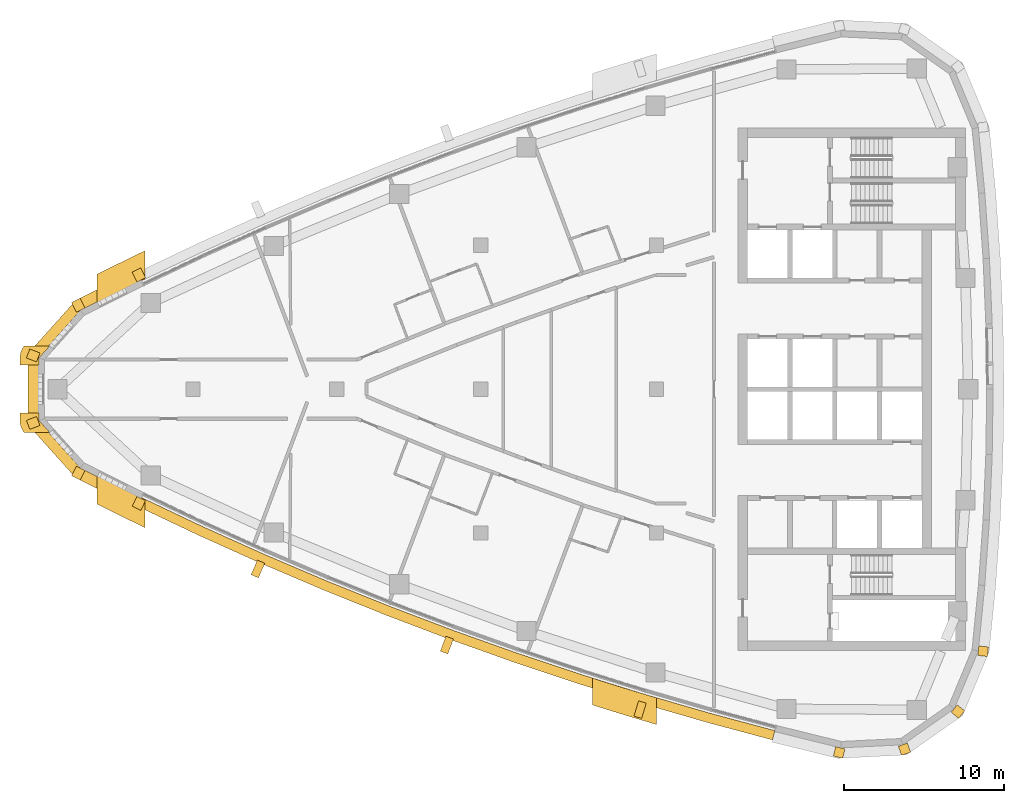
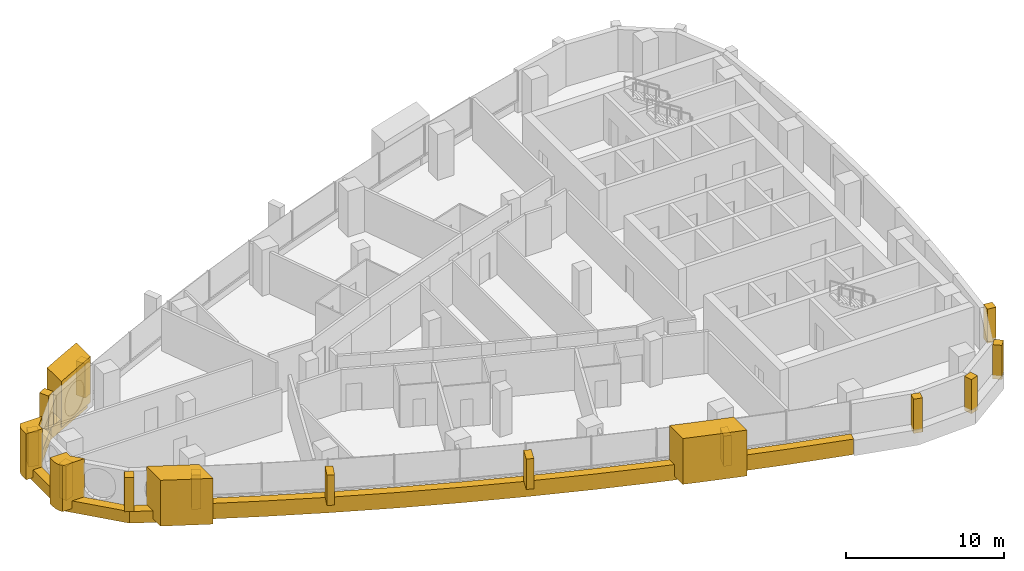
# One storey, part 12 of 15: 20 coverings.
"""IFC4 building model written with IfcOpenShell, lengths in metres."""

from ifc_helpers import new_model, si_unit, direction, frame, frame_2d, origin, place, context, subcontext, project, spatial, polyline, rectangle, outline, extrude, material, layer, layer_set, type_object, element, save


model = new_model("IFC4")

# Units and contexts
model_context = context("Model", 3, precision=1e-05, world=origin(), true_north=direction((0.0, 1.0)))
body_context = subcontext(model_context, "Body", "Model", "MODEL_VIEW")
ifc_project = project(units=[si_unit("LENGTHUNIT", "METRE"), si_unit("AREAUNIT", "SQUARE_METRE"), si_unit("VOLUMEUNIT", "CUBIC_METRE"), si_unit("PLANEANGLEUNIT", "RADIAN"), si_unit("MASSUNIT", "GRAM", prefix="KILO")], contexts=[model_context])

# Site, building, storey
site_placement = place(None, origin())
site = spatial("IfcSite", under=ifc_project, at=site_placement, CompositionType="ELEMENT")
building_placement = place(site_placement, origin())
building = spatial("IfcBuilding", under=site, at=building_placement, Name="Ostrand Prow Hotel Tower", CompositionType="ELEMENT")
storey_placement = place(building_placement, frame((0.0, 0.0, 238.550048828125)))
storey = spatial("IfcBuildingStorey", under=building, at=storey_placement, Name="L60", CompositionType="ELEMENT", Elevation=238.550048828125)

# Coverings
ifc_material_1 = material(Name="Bronze anodised aluminium cladding", Category="aluminium")
ifc_layer_1 = layer(ifc_material_1, 0.60009765625)
ifc_layer_set_1 = layer_set([ifc_layer_1], Name="Bronze anodised aluminium cladding")
covering_type_1 = type_object("IfcCoveringType", Name="Bronze prow band 899x600", PredefinedType="CLADDING", material=ifc_layer_set_1)
covering_1_placement = place(storey_placement, frame((0.0, 0.0, -0.300048828125)))
element("IfcCovering", 1, at=covering_1_placement, inside=storey, type_object=covering_type_1, Name="Bronze prow band", PredefinedType="CLADDING", context=body_context, shape_type="SweptSolid", body=[
    extrude(outline(polyline([(12.464111328125, 7.451904296875), (8.668212890625, 5.55517578125), (5.685302734375, 2.232666015625), (5.685302734375, -2.232666015625), (8.668212890625, -5.55517578125), (12.464111328125, -7.451904296875), (12.76171875, -6.840576171875), (8.97802734375, -4.949951171875), (6.3203125, -1.9892578125), (6.3203125, 1.9892578125), (8.97802734375, 4.949951171875), (12.76171875, 6.840576171875), (12.464111328125, 7.451904296875)])), origin(), (0.0, 0.0, 1.0), 0.89990234375),
])
ifc_material_2 = material(Name="Bronze anodised aluminium cladding", Category="aluminium")
ifc_layer_2 = layer(ifc_material_2, 0.60009765625)
ifc_layer_set_2 = layer_set([ifc_layer_2], Name="Bronze anodised aluminium cladding")
covering_type_2 = type_object("IfcCoveringType", Name="Bronze spandrel band 1200x600", PredefinedType="CLADDING", material=ifc_layer_set_2)
covering_2_placement = place(storey_placement, frame((0.0, 0.0, -0.300048828125)))
element("IfcCovering", 2, at=covering_2_placement, inside=storey, type_object=covering_type_2, Name="Spandrel band S1", PredefinedType="CLADDING", context=body_context, shape_type="SweptSolid", body=[
    extrude(outline(polyline([(12.526123046875, -7.324462890625), (16.35693359375, -9.14306640625), (20.2236328125, -10.88427734375), (24.12451171875, -12.547119140625), (28.058349609375, -14.131103515625), (32.02294921875, -15.635498046875), (36.017333984375, -17.059814453125), (40.039306640625, -18.403564453125), (44.087890625, -19.665771484375), (48.16064453125, -20.846435546875), (52.256591796875, -21.944580078125), (52.40625, -21.363525390625), (48.322021484375, -20.268310546875), (44.260498046875, -19.09130859375), (40.223876953125, -17.83251953125), (36.213134765625, -16.49267578125), (32.230224609375, -15.072509765625), (28.27685546875, -13.572265625), (24.354248046875, -11.992919921875), (20.464599609375, -10.334716796875), (16.60888671875, -8.598388671875), (12.788818359375, -6.784912109375), (12.526123046875, -7.324462890625)])), origin(), (0.0, 0.0, 1.0), 1.199951171875),
])
ifc_material_3 = material(Name="Limestone cladding", Category="masonry")
ifc_layer_3 = layer(ifc_material_3, 5.0)
ifc_layer_set_3 = layer_set([ifc_layer_3], Name="Limestone cladding")
covering_type_3 = type_object("IfcCoveringType", Name="Portal jamb pilaster limestone", PredefinedType="CLADDING", material=ifc_layer_set_3)
covering_3_placement = place(storey_placement, origin())
element("IfcCovering", 3, at=covering_3_placement, inside=storey, type_object=covering_type_3, Name="Portal jamb SA L60", PredefinedType="CLADDING", context=body_context, shape_type="SweptSolid", body=[
    extrude(outline(polyline([(10.0, -5.40087890625), (10.0, -7.19189453125), (11.0, -7.689453125), (12.0, -8.180419921875), (13.0, -8.664794921875), (13.0, -6.8876953125), (12.0, -6.398681640625), (11.0, -5.903076171875), (10.0, -5.40087890625)])), origin(), (0.0, 0.0, 1.0), 3.550048828125),
])
covering_4_placement = place(storey_placement, origin())
element("IfcCovering", 4, at=covering_4_placement, inside=storey, type_object=covering_type_3, Name="Portal jamb SB L60", PredefinedType="CLADDING", context=body_context, shape_type="SweptSolid", body=[
    extrude(outline(polyline([(41.0, -18.08154296875), (41.0, -19.760009765625), (42.0, -20.0732421875), (43.0, -20.381103515625), (44.0, -20.68359375), (45.0, -20.980712890625), (45.0, -19.312255859375), (44.0, -19.0126953125), (43.0, -18.707763671875), (42.0, -18.3974609375), (41.0, -18.08154296875)])), origin(), (0.0, 0.0, 1.0), 3.550048828125),
])
covering_5_placement = place(storey_placement, origin())
element("IfcCovering", 5, at=covering_5_placement, inside=storey, type_object=covering_type_3, Name="Portal jamb NA L60", PredefinedType="CLADDING", context=body_context, shape_type="SweptSolid", body=[
    extrude(outline(polyline([(10.0, 5.40087890625), (11.0, 5.903076171875), (12.0, 6.398681640625), (13.0, 6.8876953125), (13.0, 8.664794921875), (12.0, 8.180419921875), (11.0, 7.689453125), (10.0, 7.19189453125), (10.0, 5.40087890625)])), origin(), (0.0, 0.0, 1.0), 3.550048828125),
])
ifc_material_4 = material(Name="Limestone cladding", Category="masonry")
ifc_layer_4 = layer(ifc_material_4, 0.5)
ifc_layer_set_4 = layer_set([ifc_layer_4], Name="Limestone cladding")
covering_type_4 = type_object("IfcCoveringType", Name="Precast stone fin 500x900", PredefinedType="CLADDING", material=ifc_layer_set_4)
covering_6_placement = place(storey_placement, frame((20.263916015625, -10.79248046875, 0.89990234375), z_axis=(0.0, 0.0, 1.0), x_axis=(-0.401535789459, -0.915843332554, 0.0)))
element("IfcCovering", 6, at=covering_6_placement, inside=storey, type_object=covering_type_4, Name="Stone fin S 3", PredefinedType="CLADDING", context=body_context, shape_type="SweptSolid", body=[
    extrude(rectangle(XDim=1.000244140625, YDim=0.5, at=frame_2d((0.5, 0.0))), origin(), (0.0, 0.0, 1.0), 2.35009765625),
])
for number, where, z_axis, x_axis, name in (
    (7, (32.0576171875, -15.541748046875, 0.89990234375), (0.0, 0.0, 1.0), (-0.345445137787, -0.938438946751, 0.0), "Stone fin S 6"),
    (8, (44.11669921875, -19.570068359375, 0.89990234375), (0.0, 0.0, 1.0), (-0.288109396306, -0.95759750196, 0.0), "Stone fin S 9"),
):
    element("IfcCovering", number, at=place(storey_placement, frame(where, z_axis=z_axis, x_axis=x_axis)), inside=storey, type_object=covering_type_4, Name=name, PredefinedType="CLADDING", context=body_context, shape_type="SweptSolid", body=[
        extrude(rectangle(XDim=1.0, YDim=0.5, at=frame_2d((0.5, 0.0))), origin(), (0.0, 0.0, 1.0), 2.35009765625),
    ])
ifc_material_5 = material(Name="Limestone cladding", Category="masonry")
ifc_layer_5 = layer(ifc_material_5, 0.60009765625)
ifc_layer_set_5 = layer_set([ifc_layer_5], Name="Limestone cladding")
covering_type_5 = type_object("IfcCoveringType", Name="Precast stone prow rib 600x600", PredefinedType="CLADDING", material=ifc_layer_set_5)
for number, where, z_axis, x_axis, name in (
    (9, (12.76171875, 6.840576171875, 0.599853515625), (0.0, 0.0, 1.0), (-0.437708972644, 0.899116708368, 0.0), "Stone prow rib 1"),
    (10, (8.97802734375, 4.949951171875, 0.599853515625), (0.0, 0.0, 1.0), (-0.455667721738, 0.890149946563, 0.0), "Stone prow rib 2"),
):
    element("IfcCovering", number, at=place(storey_placement, frame(where, z_axis=z_axis, x_axis=x_axis)), inside=storey, type_object=covering_type_5, Name=name, PredefinedType="CLADDING", context=body_context, shape_type="SweptSolid", body=[
        extrude(rectangle(XDim=0.679931640625, YDim=0.60009765625, at=frame_2d((0.33984375, 0.0))), origin(), (0.0, 0.0, 1.0), 2.650146484375),
    ])
for number, where, z_axis, x_axis, name in (
    (11, (6.3203125, 1.9892578125, 0.599853515625), (0.0, 0.0, 1.0), (-0.9337521164, 0.357920361419, 0.0), "Stone prow rib 3"),
    (12, (6.3203125, -1.9892578125, 0.599853515625), (0.0, 0.0, 1.0), (-0.9337521164, -0.357920361419, 0.0), "Stone prow rib 4"),
):
    element("IfcCovering", number, at=place(storey_placement, frame(where, z_axis=z_axis, x_axis=x_axis)), inside=storey, type_object=covering_type_5, Name=name, PredefinedType="CLADDING", context=body_context, shape_type="SweptSolid", body=[
        extrude(rectangle(XDim=0.68017578125, YDim=0.60009765625, at=frame_2d((0.340087890625, 0.0))), origin(), (0.0, 0.0, 1.0), 2.650146484375),
    ])
for number, where, z_axis, x_axis, name in (
    (13, (8.97802734375, -4.949951171875, 0.599853515625), (0.0, 0.0, 1.0), (-0.455667721738, -0.890149946563, 0.0), "Stone prow rib 5"),
    (14, (12.76171875, -6.840576171875, 0.599853515625), (0.0, 0.0, 1.0), (-0.437708972644, -0.899116708368, 0.0), "Stone prow rib 6"),
):
    element("IfcCovering", number, at=place(storey_placement, frame(where, z_axis=z_axis, x_axis=x_axis)), inside=storey, type_object=covering_type_5, Name=name, PredefinedType="CLADDING", context=body_context, shape_type="SweptSolid", body=[
        extrude(rectangle(XDim=0.679931640625, YDim=0.60009765625, at=frame_2d((0.33984375, 0.0))), origin(), (0.0, 0.0, 1.0), 2.650146484375),
    ])
for number, where, z_axis, x_axis, name in (
    (15, (56.49755859375, -22.436279296875, 0.599853515625), (0.0, 0.0, 1.0), (-0.229878322855, -0.973219377469, 0.0), "Stone corner rib 2a"),
    (16, (60.417236328125, -22.240966796875, 0.599853515625), (0.0, 0.0, 1.0), (0.325489086777, -0.945545797087, 0.0), "Stone corner rib 3a"),
    (17, (63.62744140625, -19.98291015625, 0.599853515625), (0.0, 0.0, 1.0), (0.779994736518, -0.625786074473, 0.0), "Stone corner rib 4a"),
    (18, (65.13623046875, -16.35986328125, 0.599853515625), (0.0, 0.0, 1.0), (0.993628058569, -0.112708833834, 0.0), "Stone corner rib 4b"),
):
    element("IfcCovering", number, at=place(storey_placement, frame(where, z_axis=z_axis, x_axis=x_axis)), inside=storey, type_object=covering_type_5, Name=name, PredefinedType="CLADDING", context=body_context, shape_type="SweptSolid", body=[
        extrude(rectangle(XDim=0.60009765625, YDim=0.60009765625, at=frame_2d((0.300048828125, 0.0))), origin(), (0.0, 0.0, 1.0), 2.650146484375),
    ])
ifc_material_6 = material(Name="Limestone cladding", Category="masonry")
ifc_layer_6 = layer(ifc_material_6, 3.0)
ifc_layer_set_6 = layer_set([ifc_layer_6], Name="Limestone cladding")
covering_type_6 = type_object("IfcCoveringType", Name="Prow nose pier limestone", PredefinedType="CLADDING", material=ifc_layer_set_6)
covering_7_placement = place(storey_placement, origin())
element("IfcCovering", 19, at=covering_7_placement, inside=storey, type_object=covering_type_6, Name="Prow spine fin N L60", PredefinedType="CLADDING", context=body_context, shape_type="SweptSolid", body=[
    extrude(outline(polyline([(5.177734375, 1.96728515625), (5.177734375, 1.5), (6.377685546875, 1.5), (6.377685546875, 1.96728515625), (7.03564453125, 2.699951171875), (5.42919921875, 2.699951171875), (5.406005859375, 2.67138671875), (5.337890625, 2.566162109375), (5.28125, 2.454345703125), (5.236328125, 2.33740234375), (5.203857421875, 2.21630859375), (5.184326171875, 2.09228515625), (5.177734375, 1.96728515625)])), origin(), (0.0, 0.0, 1.0), 3.550048828125),
])
covering_8_placement = place(storey_placement, origin())
element("IfcCovering", 20, at=covering_8_placement, inside=storey, type_object=covering_type_6, Name="Prow spine fin S L60", PredefinedType="CLADDING", context=body_context, shape_type="SweptSolid", body=[
    extrude(outline(polyline([(5.406005859375, -2.67138671875), (5.42919921875, -2.699951171875), (7.03564453125, -2.699951171875), (6.377685546875, -1.96728515625), (6.377685546875, -1.5), (5.177734375, -1.5), (5.177734375, -1.96728515625), (5.184326171875, -2.09228515625), (5.203857421875, -2.21630859375), (5.236328125, -2.33740234375), (5.28125, -2.454345703125), (5.337890625, -2.566162109375), (5.406005859375, -2.67138671875)])), origin(), (0.0, 0.0, 1.0), 3.550048828125),
])

save(model, "model.ifc")
